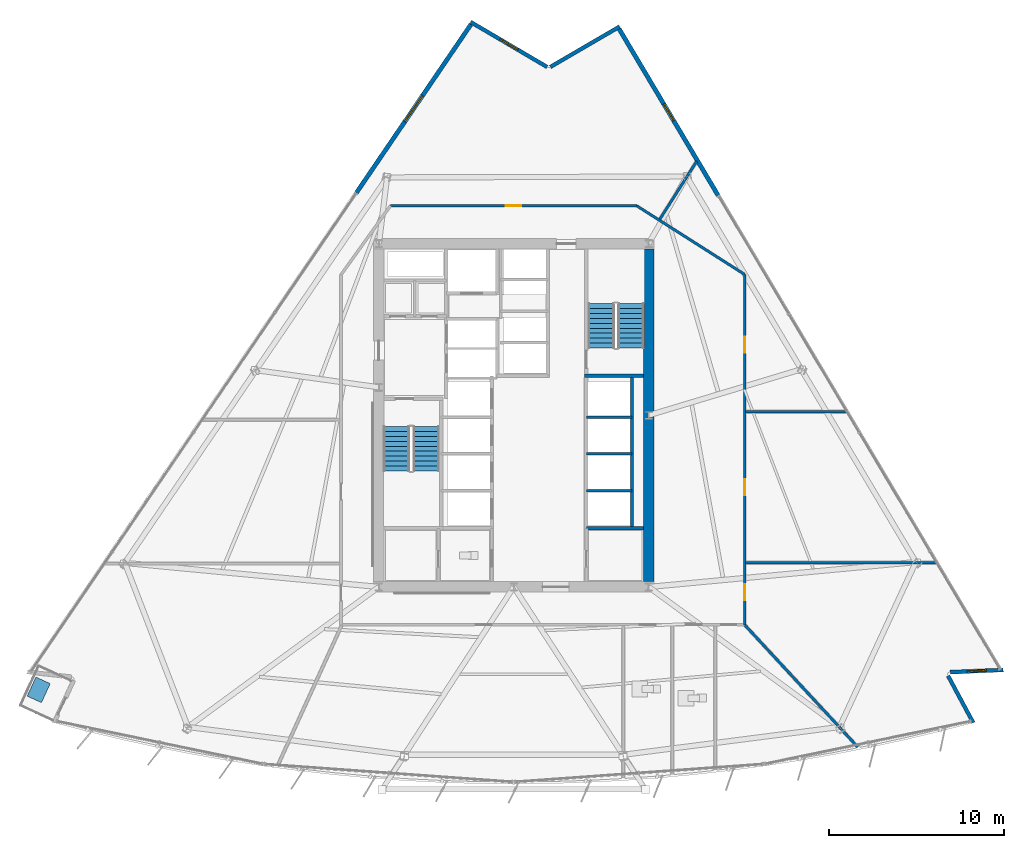
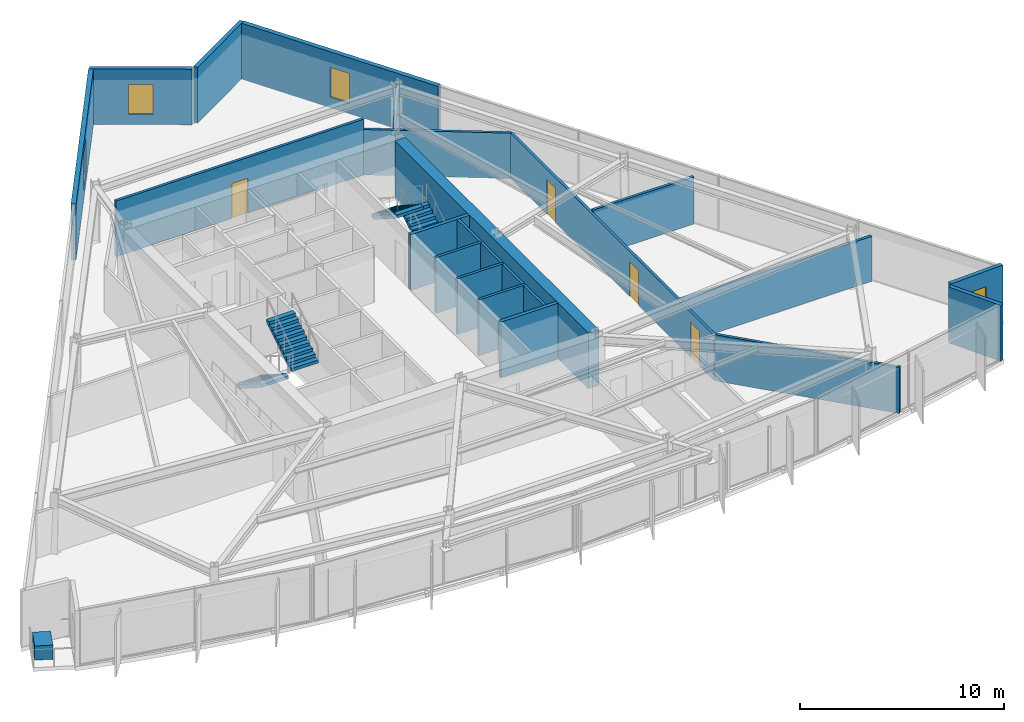
# One storey, part 9 of 15: 20 walls, 4 doors, 4 stair flights, 4 windows, 1 discrete accessory, 8 openings, 2 elements without a shape of their own.
"""IFC4 building model written with IfcOpenShell, lengths in metres."""

from ifc_helpers import new_model, si_unit, direction, frame, frame_2d, origin, origin_2d, place, context, subcontext, project, spatial, polyline, rectangle, outline, extrude, material, layer, layer_set, type_object, element, fill, aggregate, save


model = new_model("IFC4")

# Units and contexts
model_context = context("Model", 3, precision=1e-05, world=origin(), true_north=direction((0.0, 1.0)))
body_context = subcontext(model_context, "Body", "Model", "MODEL_VIEW")
ifc_project = project(units=[si_unit("LENGTHUNIT", "METRE"), si_unit("AREAUNIT", "SQUARE_METRE"), si_unit("VOLUMEUNIT", "CUBIC_METRE"), si_unit("PLANEANGLEUNIT", "RADIAN"), si_unit("MASSUNIT", "GRAM", prefix="KILO")], contexts=[model_context])

# Site, building, storey
site_placement = place(None, origin())
site = spatial("IfcSite", under=ifc_project, at=site_placement, CompositionType="ELEMENT")
building_placement = place(site_placement, origin())
building = spatial("IfcBuilding", under=site, at=building_placement, Name="Savorim Split Tower", CompositionType="ELEMENT")
storey_placement = place(building_placement, frame((0.0, 0.0, 111.300048828125)))
storey = spatial("IfcBuildingStorey", under=building, at=storey_placement, Name="L29", CompositionType="ELEMENT", Elevation=111.300048828125)

# Walls
ifc_material_1 = material(Name="Concrete C60/75", Category="concrete")
ifc_layer_1 = layer(ifc_material_1, 0.60009765625)
ifc_layer_set_1 = layer_set([ifc_layer_1], Name="WAL-COR-SH600")
wall_type_1 = type_object("IfcWallType", Name="WAL-COR-SH600", PredefinedType="SHEAR", material=ifc_layer_set_1)
wall_1_placement = place(storey_placement, frame((7.699951171875, 9.89990234375, 0.0), z_axis=(0.0, 0.0, 1.0), x_axis=(0.0, -1.0, 0.0)))
element("IfcWall", 1, at=wall_1_placement, inside=storey, type_object=wall_type_1, Name="L29 Offset Core East Shear Wall", PredefinedType="SHEAR", context=body_context, shape_type="SweptSolid", body=[
    extrude(rectangle(XDim=19.0, YDim=0.60009765625, at=frame_2d((9.5, 0.0))), origin(), (0.0, 0.0, 1.0), 3.349853515625),
])
ifc_material_2 = material(Name="Precast concrete C40/50", Category="concrete")
ifc_layer_2 = layer(ifc_material_2, 0.219970703125)
ifc_layer_set_2 = layer_set([ifc_layer_2], Name="WAL-EXT-CRN220")
wall_type_2 = type_object("IfcWallType", Name="WAL-EXT-CRN220", PredefinedType="SOLIDWALL", material=ifc_layer_set_2)
wall_2_placement = place(storey_placement, frame((24.79833984375, -14.477294921875, 0.0), z_axis=(0.0, 0.0, 1.0), x_axis=(0.472820757697, -0.881158629925, 0.0)))
element("IfcWall", 2, at=wall_2_placement, inside=storey, type_object=wall_type_2, Name="L29 Notched Corner Facade Wall SE1", PredefinedType="SOLIDWALL", context=body_context, shape_type="SweptSolid", body=[
    extrude(rectangle(XDim=3.02880859375, YDim=0.219970703125, at=frame_2d((1.514404296875, 0.0))), origin(), (0.0, 0.0, 1.0), 3.349853515625),
])

# Wall, opening, window
wall_3_placement = place(storey_placement, frame((27.943359375, -14.135009765625, 0.0), z_axis=(0.0, 0.0, 1.0), x_axis=(-0.999095621918, -0.042519857284, 0.0)))
wall_3 = element("IfcWall", 3, at=wall_3_placement, inside=storey, type_object=wall_type_2, Name="L29 Notched Corner Facade Wall SE", PredefinedType="SOLIDWALL", context=body_context, shape_type="SweptSolid", body=[
    extrude(rectangle(XDim=3.02587890625, YDim=0.219970703125, at=frame_2d((1.512939453125, 0.0))), origin(), (0.0, 0.0, 1.0), 3.349853515625),
])
opening_1_placement = place(wall_3_placement, frame((0.962890625, 0.0, 0.6201171875)))
opening_1 = element("IfcOpeningElement", 4, at=opening_1_placement, cuts=wall_3, Name="Opening WN-09", PredefinedType="OPENING", context=body_context, shape_type="SweptSolid", body=[
    extrude(rectangle(XDim=1.10009765625, YDim=1.800048828125, at=frame_2d((0.550048828125, 0.89990234375))), frame((0.0, 0.119873046875, 0.0), z_axis=(0.0, -1.0, 0.0), x_axis=(1.0, 0.0, 0.0)), (0.0, 0.0, 1.0), 0.239990234375),
])
ifc_material_3 = material(Name="Low-E Operable Double Glazing", Category="glass")
window_type_1 = type_object("IfcWindowType", Name="WIN-TWR-1100x1800", PartitioningType="SINGLE_PANEL", PredefinedType="WINDOW", material=ifc_material_3)
window_1_placement = place(opening_1_placement, origin())
window_1 = element("IfcWindow", 5, at=window_1_placement, inside=storey, type_object=window_type_1, Name="L29 Operable Corner Window SE", OverallHeight=1.800048828125, OverallWidth=1.10009765625, PartitioningType="SINGLE_PANEL", PredefinedType="WINDOW", context=body_context, shape_type="SweptSolid", body=[
    extrude(rectangle(XDim=1.10009765625, YDim=1.800048828125, at=frame_2d((0.550048828125, 0.89990234375))), frame((0.0, 0.030029296875, 0.0), z_axis=(0.0, -1.0, 0.0), x_axis=(1.0, 0.0, 0.0)), (0.0, 0.0, 1.0), 0.06005859375),
])
fill(opening_1, window_1)

# Wall
wall_4_placement = place(storey_placement, frame((2.090087890625, 20.290771484375, 0.0), z_axis=(0.0, 0.0, 1.0), x_axis=(0.863978647835, 0.503528446153, 0.0)))
element("IfcWall", 6, at=wall_4_placement, inside=storey, type_object=wall_type_2, Name="L29 Notched Corner Facade Wall NE1", PredefinedType="SOLIDWALL", context=body_context, shape_type="SweptSolid", body=[
    extrude(rectangle(XDim=4.564453125, YDim=0.219970703125, at=frame_2d((2.2822265625, 0.0))), origin(), (0.0, 0.0, 1.0), 3.349853515625),
])

# Wall, opening, window
wall_5_placement = place(storey_placement, frame((-2.447021484375, 22.845703125, 0.0), z_axis=(0.0, 0.0, 1.0), x_axis=(0.8621357974, -0.506677280763, 0.0)))
wall_5 = element("IfcWall", 7, at=wall_5_placement, inside=storey, type_object=wall_type_2, Name="L29 Notched Corner Facade Wall N", PredefinedType="SOLIDWALL", context=body_context, shape_type="SweptSolid", body=[
    extrude(rectangle(XDim=5.0419921875, YDim=0.219970703125, at=frame_2d((2.52099609375, 0.0))), origin(), (0.0, 0.0, 1.0), 3.349853515625),
])
opening_2_placement = place(wall_5_placement, frame((1.9208984375, 0.0, 0.6201171875)))
opening_2 = element("IfcOpeningElement", 8, at=opening_2_placement, cuts=wall_5, Name="Opening WN-08", PredefinedType="OPENING", context=body_context, shape_type="SweptSolid", body=[
    extrude(rectangle(XDim=1.199951171875, YDim=1.800048828125, at=frame_2d((0.60009765625, 0.89990234375))), frame((0.0, 0.119873046875, 0.0), z_axis=(0.0, -1.0, 0.0), x_axis=(1.0, 0.0, 0.0)), (0.0, 0.0, 1.0), 0.239990234375),
])
window_type_2 = type_object("IfcWindowType", Name="WIN-TWR-1200x1800", PartitioningType="SINGLE_PANEL", PredefinedType="WINDOW", material=ifc_material_3)
window_2_placement = place(opening_2_placement, origin())
window_2 = element("IfcWindow", 9, at=window_2_placement, inside=storey, type_object=window_type_2, Name="L29 Operable Corner Window N", OverallHeight=1.800048828125, OverallWidth=1.199951171875, PartitioningType="SINGLE_PANEL", PredefinedType="WINDOW", context=body_context, shape_type="SweptSolid", body=[
    extrude(rectangle(XDim=1.199951171875, YDim=1.800048828125, at=frame_2d((0.60009765625, 0.89990234375))), frame((0.0, 0.030029296875, 0.0), z_axis=(0.0, -1.0, 0.0), x_axis=(1.0, 0.0, 0.0)), (0.0, 0.0, 1.0), 0.06005859375),
])
fill(opening_2, window_2)

ifc_layer_3 = layer(ifc_material_2, 0.25)
ifc_layer_set_3 = layer_set([ifc_layer_3], Name="WAL-EXT-SPN250")
wall_type_3 = type_object("IfcWallType", Name="WAL-EXT-SPN250", PredefinedType="SOLIDWALL", material=ifc_layer_set_3)
wall_6_placement = place(storey_placement, frame((6.01708984375, 22.46240234375, 0.0), z_axis=(0.0, 0.0, 1.0), x_axis=(0.511085523564, -0.859529864288, 0.0)))
wall_6 = element("IfcWall", 10, at=wall_6_placement, inside=storey, type_object=wall_type_3, Name="L29 East Operable Window Pier", PredefinedType="SOLIDWALL", context=body_context, shape_type="SweptSolid", body=[
    extrude(rectangle(XDim=11.067626953125, YDim=0.25, at=frame_2d((5.53369140625, 0.0))), origin(), (0.0, 0.0, 1.0), 3.349853515625),
])
opening_3_placement = place(wall_6_placement, frame((4.98388671875, 0.0, 0.6201171875)))
opening_3 = element("IfcOpeningElement", 11, at=opening_3_placement, cuts=wall_6, Name="Opening WN-09", PredefinedType="OPENING", context=body_context, shape_type="SweptSolid", body=[
    extrude(rectangle(XDim=1.10009765625, YDim=1.800048828125, at=frame_2d((0.550048828125, 0.89990234375))), frame((0.0, 0.135009765625, 0.0), z_axis=(0.0, -1.0, 0.0), x_axis=(1.0, 0.0, 0.0)), (0.0, 0.0, 1.0), 0.27001953125),
])
window_3_placement = place(opening_3_placement, origin())
window_3 = element("IfcWindow", 12, at=window_3_placement, inside=storey, type_object=window_type_1, Name="L29 East Operable Ventilation Window", OverallHeight=1.800048828125, OverallWidth=1.10009765625, PartitioningType="SINGLE_PANEL", PredefinedType="WINDOW", context=body_context, shape_type="SweptSolid", body=[
    extrude(rectangle(XDim=1.10009765625, YDim=1.800048828125, at=frame_2d((0.550048828125, 0.89990234375))), frame((0.0, 0.030029296875, 0.0), z_axis=(0.0, -1.0, 0.0), x_axis=(1.0, 0.0, 0.0)), (0.0, 0.0, 1.0), 0.06005859375),
])
fill(opening_3, window_3)

wall_7_placement = place(storey_placement, frame((-8.98388671875, 13.1083984375, 0.0), z_axis=(0.0, 0.0, 1.0), x_axis=(0.562459365703, 0.826824928225, 0.0)))
wall_7 = element("IfcWall", 13, at=wall_7_placement, inside=storey, type_object=wall_type_3, Name="L29 West Operable Window Pier", PredefinedType="SOLIDWALL", context=body_context, shape_type="SweptSolid", body=[
    extrude(rectangle(XDim=11.625, YDim=0.25, at=frame_2d((5.8125, 0.0))), origin(), (0.0, 0.0, 1.0), 3.349853515625),
])
opening_4_placement = place(wall_7_placement, frame((4.91259765625, 0.0, 0.6201171875)))
opening_4 = element("IfcOpeningElement", 14, at=opening_4_placement, cuts=wall_7, Name="Opening WN-04", PredefinedType="OPENING", context=body_context, shape_type="SweptSolid", body=[
    extrude(rectangle(XDim=1.800048828125, YDim=2.10009765625, at=frame_2d((0.89990234375, 1.050048828125))), frame((0.0, 0.135009765625, 0.0), z_axis=(0.0, -1.0, 0.0), x_axis=(1.0, 0.0, 0.0)), (0.0, 0.0, 1.0), 0.27001953125),
])
window_type_3 = type_object("IfcWindowType", Name="WIN-TWR-1800x2100", PartitioningType="DOUBLE_PANEL_VERTICAL", PredefinedType="WINDOW", material=ifc_material_3)
window_4_placement = place(opening_4_placement, origin())
window_4 = element("IfcWindow", 15, at=window_4_placement, inside=storey, type_object=window_type_3, Name="L29 West Operable Ventilation Window", OverallHeight=2.10009765625, OverallWidth=1.800048828125, PartitioningType="SINGLE_PANEL", PredefinedType="WINDOW", context=body_context, shape_type="SweptSolid", body=[
    extrude(rectangle(XDim=1.800048828125, YDim=2.10009765625, at=frame_2d((0.89990234375, 1.050048828125))), frame((0.0, 0.030029296875, 0.0), z_axis=(0.0, -1.0, 0.0), x_axis=(1.0, 0.0, 0.0)), (0.0, 0.0, 1.0), 0.06005859375),
])
fill(opening_4, window_4)

# Walls
ifc_material_4 = material(Name="Concrete C50/60", Category="concrete")
ifc_layer_4 = layer(ifc_material_4, 0.199951171875)
ifc_layer_set_4 = layer_set([ifc_layer_4], Name="WAL-INT-RC200")
wall_type_4 = type_object("IfcWallType", Name="WAL-INT-RC200", PredefinedType="SOLIDWALL", material=ifc_layer_set_4)
wall_8_placement = place(storey_placement, frame((4.050048828125, 2.64990234375, 0.0), z_axis=(0.0, 0.0, 1.0), x_axis=(1.0, 0.0, 0.0)))
element("IfcWall", 16, at=wall_8_placement, inside=storey, type_object=wall_type_4, Name="L29 Structural Shaft Wall W-L29-CR08", PredefinedType="SOLIDWALL", context=body_context, shape_type="SweptSolid", body=[
    extrude(rectangle(XDim=3.349853515625, YDim=0.199951171875, at=frame_2d((1.6748046875, 0.0))), origin(), (0.0, 0.0, 1.0), 3.349853515625),
])
wall_9_placement = place(storey_placement, frame((4.14990234375, -6.050048828125, 0.0), z_axis=(0.0, 0.0, 1.0), x_axis=(1.0, 0.0, 0.0)))
element("IfcWall", 17, at=wall_9_placement, inside=storey, type_object=wall_type_4, Name="L29 Partition W-L29-KSEP-E", PredefinedType="SOLIDWALL", context=body_context, shape_type="SweptSolid", body=[
    extrude(rectangle(XDim=3.2451171875, YDim=0.199951171875, at=frame_2d((1.62255859375, 0.0))), origin(), (0.0, 0.0, 1.0), 3.349853515625),
])
ifc_material_5 = material(Name="Acoustic Gypsum Partition Board")
ifc_layer_5 = layer(ifc_material_5, 0.14990234375)
ifc_layer_set_5 = layer_set([ifc_layer_5], Name="WAL-PAR-150")
wall_type_5 = type_object("IfcWallType", Name="WAL-PAR-150", PredefinedType="PARTITIONING", material=ifc_layer_set_5)
wall_10_placement = place(storey_placement, frame((6.75, -6.050048828125, 0.0), z_axis=(0.0, 0.0, 1.0), x_axis=(0.0, 1.0, 0.0)))
element("IfcWall", 18, at=wall_10_placement, inside=storey, type_object=wall_type_5, Name="L29 Partition W-L29-B1BACK", PredefinedType="PARTITIONING", context=body_context, shape_type="SweptSolid", body=[
    extrude(rectangle(XDim=8.699951171875, YDim=0.14990234375, at=frame_2d((4.35009765625, 0.0))), origin(), (0.0, 0.0, 1.0), 3.349853515625),
])
for number, where, z_axis, x_axis, name in (
    (19, (4.14990234375, -3.89990234375, 0.0), (0.0, 0.0, 1.0), (1.0, 0.0, 0.0), "L29 Partition W-L29-B1DIV1"),
    (20, (4.14990234375, -1.800048828125, 0.0), (0.0, 0.0, 1.0), (1.0, 0.0, 0.0), "L29 Partition W-L29-B1DIV2"),
    (21, (4.14990234375, 0.300048828125, 0.0), (0.0, 0.0, 1.0), (1.0, 0.0, 0.0), "L29 Partition W-L29-B1DIV3"),
):
    element("IfcWall", number, at=place(storey_placement, frame(where, z_axis=z_axis, x_axis=x_axis)), inside=storey, type_object=wall_type_5, Name=name, PredefinedType="PARTITIONING", context=body_context, shape_type="SweptSolid", body=[
        extrude(rectangle(XDim=2.60009765625, YDim=0.14990234375, at=frame_2d((1.300048828125, 0.0))), origin(), (0.0, 0.0, 1.0), 3.349853515625),
    ])

# Wall, opening, door
wall_11_placement = place(storey_placement, frame((-7.041015625, 12.360107421875, 0.0), z_axis=(0.0, 0.0, 1.0), x_axis=(1.0, 0.0, 0.0)))
wall_11 = element("IfcWall", 22, at=wall_11_placement, inside=storey, type_object=wall_type_5, Name="L29 Partition W-L29-COR-03", PredefinedType="PARTITIONING", context=body_context, shape_type="SweptSolid", body=[
    extrude(rectangle(XDim=14.064208984375, YDim=0.14990234375, at=frame_2d((7.0322265625, 0.0))), origin(), (0.0, 0.0, 1.0), 3.349853515625),
])
opening_5_placement = place(wall_11_placement, frame((6.582275390625, 0.0, 0.0)))
opening_5 = element("IfcOpeningElement", 23, at=opening_5_placement, cuts=wall_11, Name="Opening DI-06", PredefinedType="OPENING", context=body_context, shape_type="SweptSolid", body=[
    extrude(rectangle(XDim=0.89990234375, YDim=2.10009765625, at=frame_2d((0.449951171875, 1.050048828125))), frame((0.0, 0.0849609375, 0.0), z_axis=(0.0, -1.0, 0.0), x_axis=(1.0, 0.0, 0.0)), (0.0, 0.0, 1.0), 0.169921875),
])
ifc_material_6 = material(Name="Timber Fire Door Leaf", Category="wood")
door_type = type_object("IfcDoorType", Name="DOR-FIR-900", OperationType="NOTDEFINED", PredefinedType="DOOR", material=ifc_material_6)
door_1_placement = place(opening_5_placement, origin())
door_1 = element("IfcDoor", 24, at=door_1_placement, inside=storey, type_object=door_type, Name="DR-L29-RM10 - L29 Maker Workshop Entry Door", OperationType="SINGLE_SWING_LEFT", OverallHeight=2.10009765625, OverallWidth=0.89990234375, PredefinedType="DOOR", context=body_context, shape_type="SweptSolid", body=[
    extrude(rectangle(XDim=0.89990234375, YDim=2.10009765625, at=frame_2d((0.449951171875, 1.050048828125))), frame((0.0, 0.02490234375, 0.0), z_axis=(0.0, -1.0, 0.0), x_axis=(1.0, 0.0, 0.0)), (0.0, 0.0, 1.0), 0.050048828125),
])
fill(opening_5, door_1)

# Wall
wall_12_placement = place(storey_placement, frame((7.023193359375, 12.360107421875, 0.0), z_axis=(0.0, 0.0, 1.0), x_axis=(0.84376480085, -0.536713108511, 0.0)))
element("IfcWall", 25, at=wall_12_placement, inside=storey, type_object=wall_type_5, Name="L29 Partition W-L29-COR-04", PredefinedType="PARTITIONING", context=body_context, shape_type="SweptSolid", body=[
    extrude(rectangle(XDim=7.296630859375, YDim=0.14990234375, at=frame_2d((3.6484375, 0.0))), origin(), (0.0, 0.0, 1.0), 2.724853515625),
])

# Wall, openings, doors
wall_13_placement = place(storey_placement, frame((13.179931640625, 8.44384765625, 0.0), z_axis=(0.0, 0.0, 1.0), x_axis=(0.0, -1.0, 0.0)))
wall_13 = element("IfcWall", 26, at=wall_13_placement, inside=storey, type_object=wall_type_5, Name="L29 Partition W-L29-COR-05", PredefinedType="PARTITIONING", context=body_context, shape_type="SweptSolid", body=[
    extrude(rectangle(XDim=20.00390625, YDim=0.14990234375, at=frame_2d((10.001953125, 0.0))), origin(), (0.0, 0.0, 1.0), 2.704833984375),
])
opening_6_placement = place(wall_13_placement, frame((17.6923828125, 0.0, 0.0)))
opening_6 = element("IfcOpeningElement", 27, at=opening_6_placement, cuts=wall_13, Name="Opening DI-06", PredefinedType="OPENING", context=body_context, shape_type="SweptSolid", body=[
    extrude(rectangle(XDim=0.89990234375, YDim=2.10009765625, at=frame_2d((0.449951171875, 1.050048828125))), frame((0.0, 0.0849609375, 0.0), z_axis=(0.0, -1.0, 0.0), x_axis=(1.0, 0.0, 0.0)), (0.0, 0.0, 1.0), 0.169921875),
])
opening_7_placement = place(wall_13_placement, frame((11.69873046875, 0.0, 0.0)))
opening_7 = element("IfcOpeningElement", 28, at=opening_7_placement, cuts=wall_13, Name="Opening DI-06", PredefinedType="OPENING", context=body_context, shape_type="SweptSolid", body=[
    extrude(rectangle(XDim=0.89990234375, YDim=2.10009765625, at=frame_2d((0.449951171875, 1.050048828125))), frame((0.0, 0.0849609375, 0.0), z_axis=(0.0, -1.0, 0.0), x_axis=(1.0, 0.0, 0.0)), (0.0, 0.0, 1.0), 0.169921875),
])
opening_8_placement = place(wall_13_placement, frame((3.558349609375, 0.0, 0.0)))
opening_8 = element("IfcOpeningElement", 29, at=opening_8_placement, cuts=wall_13, Name="Opening DI-06", PredefinedType="OPENING", context=body_context, shape_type="SweptSolid", body=[
    extrude(rectangle(XDim=0.89990234375, YDim=2.10009765625, at=frame_2d((0.449951171875, 1.050048828125))), frame((0.0, 0.0849609375, 0.0), z_axis=(0.0, -1.0, 0.0), x_axis=(1.0, 0.0, 0.0)), (0.0, 0.0, 1.0), 0.169921875),
])
door_2_placement = place(opening_6_placement, origin())
door_2 = element("IfcDoor", 30, at=door_2_placement, inside=storey, type_object=door_type, Name="DR-L29-RM07 - L29 Co-Working Commons Entry Door", OperationType="SINGLE_SWING_RIGHT", OverallHeight=2.10009765625, OverallWidth=0.89990234375, PredefinedType="DOOR", context=body_context, shape_type="SweptSolid", body=[
    extrude(rectangle(XDim=0.89990234375, YDim=2.10009765625, at=frame_2d((0.449951171875, 1.050048828125))), frame((0.0, 0.02490234375, 0.0), z_axis=(0.0, -1.0, 0.0), x_axis=(1.0, 0.0, 0.0)), (0.0, 0.0, 1.0), 0.050048828125),
])
fill(opening_6, door_2)
door_3_placement = place(opening_7_placement, origin())
door_3 = element("IfcDoor", 31, at=door_3_placement, inside=storey, type_object=door_type, Name="DR-L29-RM08 - L29 Maker Workshop Entry Door", OperationType="SINGLE_SWING_LEFT", OverallHeight=2.10009765625, OverallWidth=0.89990234375, PredefinedType="DOOR", context=body_context, shape_type="SweptSolid", body=[
    extrude(rectangle(XDim=0.89990234375, YDim=2.10009765625, at=frame_2d((0.449951171875, 1.050048828125))), frame((0.0, 0.02490234375, 0.0), z_axis=(0.0, -1.0, 0.0), x_axis=(1.0, 0.0, 0.0)), (0.0, 0.0, 1.0), 0.050048828125),
])
fill(opening_7, door_3)
door_4_placement = place(opening_8_placement, origin())
door_4 = element("IfcDoor", 32, at=door_4_placement, inside=storey, type_object=door_type, Name="DR-L29-RM09 - L29 Quiet Study Room Entry Door", OperationType="SINGLE_SWING_RIGHT", OverallHeight=2.10009765625, OverallWidth=0.89990234375, PredefinedType="DOOR", context=body_context, shape_type="SweptSolid", body=[
    extrude(rectangle(XDim=0.89990234375, YDim=2.10009765625, at=frame_2d((0.449951171875, 1.050048828125))), frame((0.0, 0.02490234375, 0.0), z_axis=(0.0, -1.0, 0.0), x_axis=(1.0, 0.0, 0.0)), (0.0, 0.0, 1.0), 0.050048828125),
])
fill(opening_8, door_4)

# Walls
wall_14_placement = place(storey_placement, frame((13.19873046875, -11.578857421875, 0.0), z_axis=(0.0, 0.0, 1.0), x_axis=(0.679358186911, -0.733806823269, 0.0)))
element("IfcWall", 33, at=wall_14_placement, inside=storey, type_object=wall_type_5, Name="L29 Partition W-L29-PRAD04", PredefinedType="PARTITIONING", context=body_context, shape_type="SweptSolid", body=[
    extrude(rectangle(XDim=9.474365234375, YDim=0.14990234375, at=frame_2d((4.7373046875, 0.0))), origin(), (0.0, 0.0, 1.0), 2.77490234375),
])
wall_15_placement = place(storey_placement, frame((13.239990234375, -8.01513671875, 0.0), z_axis=(0.0, 0.0, 1.0), x_axis=(1.0, 0.0, 0.0)))
element("IfcWall", 34, at=wall_15_placement, inside=storey, type_object=wall_type_5, Name="L29 Partition W-L29-PRAD05", PredefinedType="PARTITIONING", context=body_context, shape_type="SweptSolid", body=[
    extrude(rectangle(XDim=10.84130859375, YDim=0.14990234375, at=frame_2d((5.420654296875, 0.0))), origin(), (0.0, 0.0, 1.0), 2.704833984375),
])
wall_16_placement = place(storey_placement, frame((8.33935546875, 11.593994140625, 0.0), z_axis=(0.0, 0.0, 1.0), x_axis=(0.536714739098, 0.843763763642, 0.0)))
element("IfcWall", 35, at=wall_16_placement, inside=storey, type_object=wall_type_5, Name="L29 Partition W-L29-PRAD07", PredefinedType="PARTITIONING", context=body_context, shape_type="SweptSolid", body=[
    extrude(rectangle(XDim=3.93115234375, YDim=0.14990234375, at=frame_2d((1.965576171875, 0.0))), origin(), (0.0, 0.0, 1.0), 2.724853515625),
])
wall_17_placement = place(storey_placement, frame((13.239990234375, 0.605712890625, 0.0), z_axis=(0.0, 0.0, 1.0), x_axis=(1.0, 0.0, 0.0)))
element("IfcWall", 36, at=wall_17_placement, inside=storey, type_object=wall_type_5, Name="L29 Partition W-L29-SUB04", PredefinedType="PARTITIONING", context=body_context, shape_type="SweptSolid", body=[
    extrude(rectangle(XDim=5.71533203125, YDim=0.14990234375, at=frame_2d((2.857666015625, 0.0))), origin(), (0.0, 0.0, 1.0), 2.8349609375),
])

# Stair, stair flights
stair_type = type_object("IfcStairType", Name="STR-DOG-3600", PredefinedType="HALF_TURN_STAIR", material=ifc_material_4)
stair_1_placement = place(storey_placement, origin())
stair_1 = element("IfcStair", 37, at=stair_1_placement, inside=storey, type_object=stair_type, Name="L29 Core Protected Exit Stair ST-1", PredefinedType="HALF_TURN_STAIR")
stair_flight_type = type_object("IfcStairFlightType", Name="SFL-DOG-3600", PredefinedType="STRAIGHT", material=ifc_material_4)
stair_flight_1_placement = place(storey_placement, frame((-6.699951171875, -0.25, 0.0), z_axis=(0.0, 0.0, 1.0), x_axis=(0.0, -1.0, 0.0)))
stair_flight_1 = element("IfcStairFlight", 38, at=stair_flight_1_placement, type_object=stair_flight_type, Name="ST-1 flight 1", NumberOfRisers=10, NumberOfTreads=9, PredefinedType="STRAIGHT", RiserHeight=0.18, TreadLength=0.28, context=body_context, shape_type="SweptSolid", body=[
    extrude(outline(polyline([(0.0, 0.0), (0.0, 0.179931640625), (0.280029296875, 0.179931640625), (0.280029296875, 0.360107421875), (0.56005859375, 0.360107421875), (0.56005859375, 0.5400390625), (0.840087890625, 0.5400390625), (0.840087890625, 0.719970703125), (1.1201171875, 0.719970703125), (1.1201171875, 0.89990234375), (1.39990234375, 0.89990234375), (1.39990234375, 1.080078125), (1.679931640625, 1.080078125), (1.679931640625, 1.260009765625), (1.9599609375, 1.260009765625), (1.9599609375, 1.43994140625), (2.239990234375, 1.43994140625), (2.239990234375, 1.6201171875), (2.52001953125, 1.6201171875), (2.52001953125, 1.800048828125), (2.52001953125, 1.44189453125), (0.277099609375, 0.0), (0.0, 0.0)])), frame((0.0, 0.75, 0.0), z_axis=(0.0, -1.0, 0.0), x_axis=(1.0, 0.0, 0.0)), (0.0, 0.0, 1.0), 1.5),
])
stair_flight_2_placement = place(storey_placement, frame((-5.0, -2.77001953125, 1.800048828125), z_axis=(0.0, 0.0, 1.0), x_axis=(0.0, 1.0, 0.0)))
stair_flight_2 = element("IfcStairFlight", 39, at=stair_flight_2_placement, type_object=stair_flight_type, Name="ST-1 flight 2", NumberOfRisers=10, NumberOfTreads=9, PredefinedType="STRAIGHT", RiserHeight=0.18, TreadLength=0.28, context=body_context, shape_type="SweptSolid", body=[
    extrude(outline(polyline([(0.0, 0.0), (0.0, 0.179931640625), (0.280029296875, 0.179931640625), (0.280029296875, 0.360107421875), (0.56005859375, 0.360107421875), (0.56005859375, 0.5400390625), (0.840087890625, 0.5400390625), (0.840087890625, 0.719970703125), (1.1201171875, 0.719970703125), (1.1201171875, 0.89990234375), (1.39990234375, 0.89990234375), (1.39990234375, 1.080078125), (1.679931640625, 1.080078125), (1.679931640625, 1.260009765625), (1.9599609375, 1.260009765625), (1.9599609375, 1.43994140625), (2.239990234375, 1.43994140625), (2.239990234375, 1.6201171875), (2.52001953125, 1.6201171875), (2.52001953125, 1.800048828125), (2.52001953125, 1.44189453125), (0.277099609375, 0.0), (0.0, 0.0)])), frame((0.0, 0.75, 0.0), z_axis=(0.0, -1.0, 0.0), x_axis=(1.0, 0.0, 0.0)), (0.0, 0.0, 1.0), 1.5),
])
aggregate(stair_1, [stair_flight_1, stair_flight_2])

stair_2_placement = place(storey_placement, origin())
stair_2 = element("IfcStair", 40, at=stair_2_placement, inside=storey, type_object=stair_type, Name="L29 Core Protected Exit Stair ST-2", PredefinedType="HALF_TURN_STAIR")
stair_flight_3_placement = place(storey_placement, frame((6.699951171875, 4.25, 0.0), z_axis=(0.0, 0.0, 1.0), x_axis=(0.0, 1.0, 0.0)))
stair_flight_3 = element("IfcStairFlight", 41, at=stair_flight_3_placement, type_object=stair_flight_type, Name="ST-2 flight 1", NumberOfRisers=10, NumberOfTreads=9, PredefinedType="STRAIGHT", RiserHeight=0.18, TreadLength=0.28, context=body_context, shape_type="SweptSolid", body=[
    extrude(outline(polyline([(0.0, 0.0), (0.0, 0.179931640625), (0.280029296875, 0.179931640625), (0.280029296875, 0.360107421875), (0.56005859375, 0.360107421875), (0.56005859375, 0.5400390625), (0.840087890625, 0.5400390625), (0.840087890625, 0.719970703125), (1.1201171875, 0.719970703125), (1.1201171875, 0.89990234375), (1.39990234375, 0.89990234375), (1.39990234375, 1.080078125), (1.679931640625, 1.080078125), (1.679931640625, 1.260009765625), (1.9599609375, 1.260009765625), (1.9599609375, 1.43994140625), (2.239990234375, 1.43994140625), (2.239990234375, 1.6201171875), (2.52001953125, 1.6201171875), (2.52001953125, 1.800048828125), (2.52001953125, 1.44189453125), (0.277099609375, 0.0), (0.0, 0.0)])), frame((0.0, 0.75, 0.0), z_axis=(0.0, -1.0, 0.0), x_axis=(1.0, 0.0, 0.0)), (0.0, 0.0, 1.0), 1.5),
])
stair_flight_4_placement = place(storey_placement, frame((5.0, 6.77001953125, 1.800048828125), z_axis=(0.0, 0.0, 1.0), x_axis=(0.0, -1.0, 0.0)))
stair_flight_4 = element("IfcStairFlight", 42, at=stair_flight_4_placement, type_object=stair_flight_type, Name="ST-2 flight 2", NumberOfRisers=10, NumberOfTreads=9, PredefinedType="STRAIGHT", RiserHeight=0.18, TreadLength=0.28, context=body_context, shape_type="SweptSolid", body=[
    extrude(outline(polyline([(0.0, 0.0), (0.0, 0.179931640625), (0.280029296875, 0.179931640625), (0.280029296875, 0.360107421875), (0.56005859375, 0.360107421875), (0.56005859375, 0.5400390625), (0.840087890625, 0.5400390625), (0.840087890625, 0.719970703125), (1.1201171875, 0.719970703125), (1.1201171875, 0.89990234375), (1.39990234375, 0.89990234375), (1.39990234375, 1.080078125), (1.679931640625, 1.080078125), (1.679931640625, 1.260009765625), (1.9599609375, 1.260009765625), (1.9599609375, 1.43994140625), (2.239990234375, 1.43994140625), (2.239990234375, 1.6201171875), (2.52001953125, 1.6201171875), (2.52001953125, 1.800048828125), (2.52001953125, 1.44189453125), (0.277099609375, 0.0), (0.0, 0.0)])), frame((0.0, 0.75, 0.0), z_axis=(0.0, -1.0, 0.0), x_axis=(1.0, 0.0, 0.0)), (0.0, 0.0, 1.0), 1.5),
])
aggregate(stair_2, [stair_flight_3, stair_flight_4])

# Discrete accessory
ifc_material_7 = material(Name="Architectural Precast Planter Concrete C40/50", Category="concrete")
discrete_accessory_type = type_object("IfcDiscreteAccessoryType", Name="ACC-PLN-TREE", PredefinedType="USERDEFINED", material=ifc_material_7)
discrete_accessory_placement = place(storey_placement, frame((-27.123046875, -15.27490234375, 0.0), z_axis=(0.0, 0.0, 1.0), x_axis=(-0.417507099396, -0.908673660867, 0.0)))
element("IfcDiscreteAccessory", 43, at=discrete_accessory_placement, inside=storey, type_object=discrete_accessory_type, Name="L29 Balcony Precast Tree Planter SW", ObjectType="PLANTER", PredefinedType="USERDEFINED", context=body_context, shape_type="SweptSolid", body=[
    extrude(rectangle(XDim=1.199951171875, YDim=0.89990234375, at=origin_2d()), origin(), (0.0, 0.0, 1.0), 0.85009765625),
])

save(model, "model.ifc")
